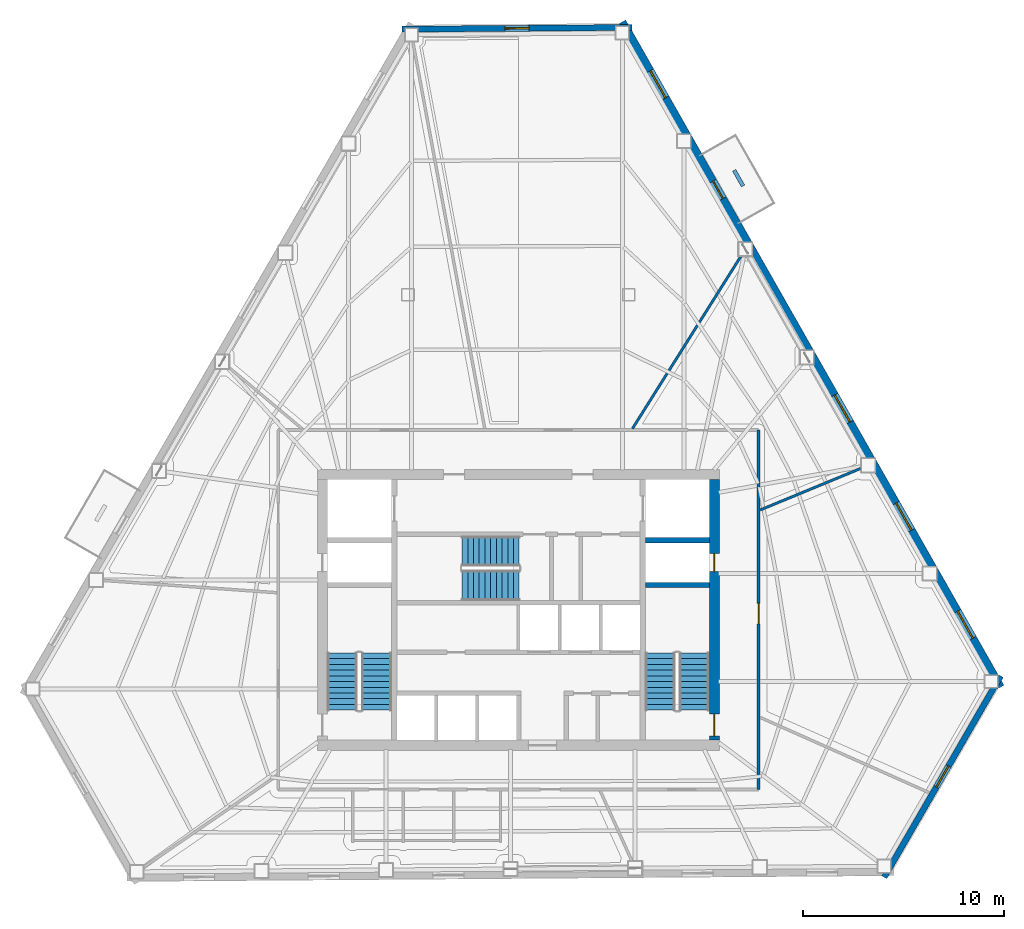
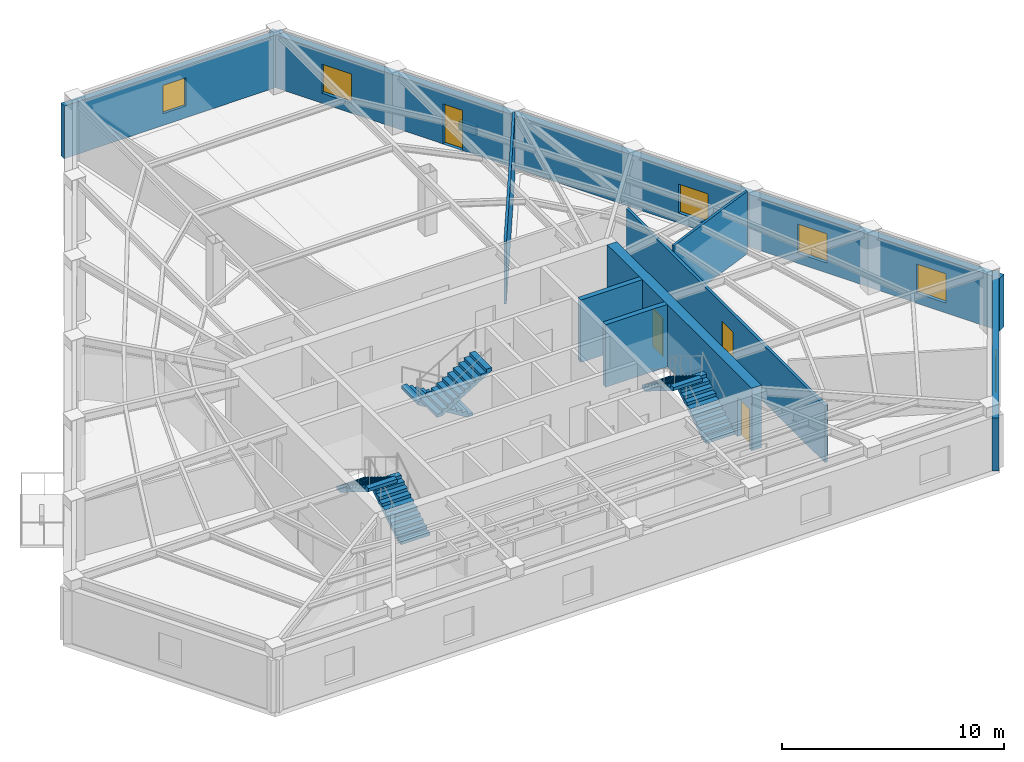
# One storey, part 7 of 10: 10 walls, 6 stair flights, 6 windows, 4 doors, 10 openings, 3 elements without a shape of their own.
"""IFC4 building model written with IfcOpenShell, lengths in metres."""

from ifc_helpers import new_model, si_unit, direction, frame, frame_2d, origin, place, context, subcontext, project, spatial, polyline, rectangle, outline, extrude, material, layer, layer_set, type_object, element, fill, aggregate, save


model = new_model("IFC4")

# Units and contexts
model_context = context("Model", 3, precision=1e-05, world=origin(), true_north=direction((0.0, 1.0)))
body_context = subcontext(model_context, "Body", "Model", "MODEL_VIEW")
ifc_project = project(units=[si_unit("LENGTHUNIT", "METRE"), si_unit("AREAUNIT", "SQUARE_METRE"), si_unit("VOLUMEUNIT", "CUBIC_METRE"), si_unit("PLANEANGLEUNIT", "RADIAN"), si_unit("MASSUNIT", "GRAM", prefix="KILO")], contexts=[model_context])

# Site, building, storey
site_placement = place(None, origin())
site = spatial("IfcSite", under=ifc_project, at=site_placement, CompositionType="ELEMENT")
building_placement = place(site_placement, origin())
building = spatial("IfcBuilding", under=site, at=building_placement, Name="Kavelnor Concourse Tower", CompositionType="ELEMENT")
storey_placement = place(building_placement, frame((0.0, 0.0, 150.949951171875)))
storey = spatial("IfcBuildingStorey", under=building, at=storey_placement, Name="L38", CompositionType="ELEMENT", Elevation=150.949951171875)

# Wall, openings, doors
ifc_material_1 = material(Name="Concrete C60/75", Category="concrete")
ifc_layer_1 = layer(ifc_material_1, 0.5, Name="Concrete C60/75")
ifc_layer_set_1 = layer_set([ifc_layer_1], Name="Concrete C60/75")
wall_type_1 = type_object("IfcWallType", Name="WL-CORE-Z2-500", PredefinedType="SOLIDWALL", material=ifc_layer_set_1)
wall_1_placement = place(storey_placement, frame((47.77001953125, 9.60009765625, 0.0), z_axis=(0.0, 0.0, 1.0), x_axis=(0.0, 1.0, 0.0)))
wall_1 = element("IfcWall", 1, at=wall_1_placement, inside=storey, type_object=wall_type_1, Name="L38 Central Core East Shear Wall", PredefinedType="SOLIDWALL", context=body_context, shape_type="SweptSolid", body=[
    extrude(rectangle(XDim=13.0, YDim=0.5, at=frame_2d((6.5, 0.0))), origin(), (0.0, 0.0, 1.0), 3.429931640625),
])
opening_1_placement = place(wall_1_placement, frame((0.199951171875, 0.0, 0.0)))
opening_1 = element("IfcOpeningElement", 2, at=opening_1_placement, cuts=wall_1, Name="Opening FD-110", PredefinedType="OPENING", context=body_context, shape_type="SweptSolid", body=[
    extrude(rectangle(XDim=1.10009765625, YDim=2.14990234375, at=frame_2d((0.550048828125, 1.074951171875))), frame((0.0, 0.260009765625, 0.0), z_axis=(0.0, -1.0, 0.0), x_axis=(1.0, 0.0, 0.0)), (0.0, 0.0, 1.0), 0.52001953125),
])
opening_2_placement = place(wall_1_placement, frame((8.39990234375, 0.0, 0.0)))
opening_2 = element("IfcOpeningElement", 3, at=opening_2_placement, cuts=wall_1, Name="Opening FD-090", PredefinedType="OPENING", context=body_context, shape_type="SweptSolid", body=[
    extrude(rectangle(XDim=0.89990234375, YDim=2.10009765625, at=frame_2d((0.449951171875, 1.050048828125))), frame((0.0, 0.260009765625, 0.0), z_axis=(0.0, -1.0, 0.0), x_axis=(1.0, 0.0, 0.0)), (0.0, 0.0, 1.0), 0.52001953125),
])
ifc_material_2 = material(Name="Steel Grade 350", Category="steel")
door_type_1 = type_object("IfcDoorType", Name="DR-RISER-FIRE-900", OperationType="NOTDEFINED", PredefinedType="DOOR", material=ifc_material_2)
door_1_placement = place(opening_2_placement, origin())
door_1 = element("IfcDoor", 4, at=door_1_placement, inside=storey, type_object=door_type_1, Name="L38 East Riser Access Door", OperationType="SINGLE_SWING_LEFT", OverallHeight=2.10009765625, OverallWidth=0.89990234375, PredefinedType="DOOR", context=body_context, shape_type="SweptSolid", body=[
    extrude(rectangle(XDim=0.89990234375, YDim=2.10009765625, at=frame_2d((0.449951171875, 1.050048828125))), frame((0.0, 0.02490234375, 0.0), z_axis=(0.0, -1.0, 0.0), x_axis=(1.0, 0.0, 0.0)), (0.0, 0.0, 1.0), 0.050048828125),
])
fill(opening_2, door_1)
door_type_2 = type_object("IfcDoorType", Name="DR-STAIR-FIRE-1100", OperationType="NOTDEFINED", PredefinedType="DOOR", material=ifc_material_2)
door_2_placement = place(opening_1_placement, origin())
door_2 = element("IfcDoor", 5, at=door_2_placement, inside=storey, type_object=door_type_2, Name="L38 Stair ST2 Fire Door", OperationType="SINGLE_SWING_RIGHT", OverallHeight=2.14990234375, OverallWidth=1.10009765625, PredefinedType="DOOR", context=body_context, shape_type="SweptSolid", body=[
    extrude(rectangle(XDim=1.10009765625, YDim=2.14990234375, at=frame_2d((0.550048828125, 1.074951171875))), frame((0.0, 0.02490234375, 0.0), z_axis=(0.0, -1.0, 0.0), x_axis=(1.0, 0.0, 0.0)), (0.0, 0.0, 1.0), 0.050048828125),
])
fill(opening_1, door_2)

# Wall, opening, window
ifc_material_3 = material(Name="Buff ironspot clay face brick masonry", Category="masonry")
ifc_layer_2 = layer(ifc_material_3, 0.300048828125, Name="Buff ironspot clay face brick masonry")
ifc_layer_set_2 = layer_set([ifc_layer_2], Name="Buff ironspot clay face brick masonry")
wall_type_2 = type_object("IfcWallType", Name="WL-EXT-BUFF-BRICK-FOLD-300", PredefinedType="STANDARD", material=ifc_layer_set_2)
wall_2_placement = place(storey_placement, frame((32.1962890625, 45.031494140625, 0.0), z_axis=(0.0, 0.0, 1.0), x_axis=(0.999971432125, 0.007558765403, 0.0)))
wall_2 = element("IfcWall", 6, at=wall_2_placement, inside=storey, type_object=wall_type_2, Name="L38 Exterior Brick Facade Wall E0", PredefinedType="STANDARD", context=body_context, shape_type="SweptSolid", body=[
    extrude(rectangle(XDim=11.466064453125, YDim=0.300048828125, at=frame_2d((5.73291015625, 0.0))), origin(), (0.0, 0.0, 1.0), 2.88916015625),
])
opening_3_placement = place(wall_2_placement, frame((5.133056640625, 0.0, 0.64990234375)))
opening_3 = element("IfcOpeningElement", 7, at=opening_3_placement, cuts=wall_2, Name="Opening W-05", PredefinedType="OPENING", context=body_context, shape_type="SweptSolid", body=[
    extrude(rectangle(XDim=1.199951171875, YDim=1.550048828125, at=frame_2d((0.60009765625, 0.77490234375))), frame((0.0, 0.16015625, 0.0), z_axis=(0.0, -1.0, 0.0), x_axis=(1.0, 0.0, 0.0)), (0.0, 0.0, 1.0), 0.320068359375),
])
ifc_material_4 = material(Name="Double low-E argon insulated glazing", Category="glass")
window_type_1 = type_object("IfcWindowType", Name="WIN-FOLD-1200", PartitioningType="SINGLE_PANEL", PredefinedType="WINDOW", material=ifc_material_4)
window_1_placement = place(opening_3_placement, origin())
window_1 = element("IfcWindow", 8, at=window_1_placement, inside=storey, type_object=window_type_1, Name="L38 Chamfer-Fold Facet Window C0", OverallHeight=1.550048828125, OverallWidth=1.199951171875, PartitioningType="SINGLE_PANEL", PredefinedType="WINDOW", context=body_context, shape_type="SweptSolid", body=[
    extrude(rectangle(XDim=1.199951171875, YDim=1.550048828125, at=frame_2d((0.60009765625, 0.77490234375))), frame((0.0, 0.030029296875, 0.0), z_axis=(0.0, -1.0, 0.0), x_axis=(1.0, 0.0, 0.0)), (0.0, 0.0, 1.0), 0.06005859375),
])
fill(opening_3, window_1)

wall_3_placement = place(storey_placement, frame((62.033447265625, 12.804443359375, 0.0), z_axis=(0.0, 0.0, 1.0), x_axis=(-0.500904242639, -0.865502709243, 0.0)))
wall_3 = element("IfcWall", 9, at=wall_3_placement, inside=storey, type_object=wall_type_2, Name="L38 Exterior Brick Facade Wall E4", PredefinedType="STANDARD", context=body_context, shape_type="SweptSolid", body=[
    extrude(rectangle(XDim=11.59033203125, YDim=0.300048828125, at=frame_2d((5.795166015625, 0.0))), origin(), (0.0, 0.0, 1.0), 2.88916015625),
])
opening_4_placement = place(wall_3_placement, frame((5.195068359375, 0.0, 0.64990234375)))
opening_4 = element("IfcOpeningElement", 10, at=opening_4_placement, cuts=wall_3, Name="Opening W-05", PredefinedType="OPENING", context=body_context, shape_type="SweptSolid", body=[
    extrude(rectangle(XDim=1.199951171875, YDim=1.550048828125, at=frame_2d((0.60009765625, 0.77490234375))), frame((0.0, 0.16015625, 0.0), z_axis=(0.0, -1.0, 0.0), x_axis=(1.0, 0.0, 0.0)), (0.0, 0.0, 1.0), 0.320068359375),
])
window_2_placement = place(opening_4_placement, origin())
window_2 = element("IfcWindow", 11, at=window_2_placement, inside=storey, type_object=window_type_1, Name="L38 Chamfer-Fold Facet Window C2", OverallHeight=1.550048828125, OverallWidth=1.199951171875, PartitioningType="SINGLE_PANEL", PredefinedType="WINDOW", context=body_context, shape_type="SweptSolid", body=[
    extrude(rectangle(XDim=1.199951171875, YDim=1.550048828125, at=frame_2d((0.60009765625, 0.77490234375))), frame((0.0, 0.030029296875, 0.0), z_axis=(0.0, -1.0, 0.0), x_axis=(1.0, 0.0, 0.0)), (0.0, 0.0, 1.0), 0.06005859375),
])
fill(opening_4, window_2)

# Wall, openings, door, windows
ifc_material_5 = material(Name="Red-ochre clay face brick masonry", Category="masonry")
ifc_layer_3 = layer(ifc_material_5, 0.3798828125, Name="Red-ochre clay face brick masonry")
ifc_layer_set_3 = layer_set([ifc_layer_3], Name="Red-ochre clay face brick masonry")
wall_type_3 = type_object("IfcWallType", Name="WL-EXT-RED-BRICK-PIER-380", PredefinedType="STANDARD", material=ifc_layer_set_3)
wall_4_placement = place(storey_placement, frame((43.17919921875, 45.396484375, 0.0), z_axis=(0.0, 0.0, 1.0), x_axis=(0.494363218784, -0.869255433065, 0.0)))
wall_4 = element("IfcWall", 12, at=wall_4_placement, inside=storey, type_object=wall_type_3, Name="L38 Exterior Brick Facade Wall E5", PredefinedType="STANDARD", context=body_context, shape_type="SweptSolid", body=[
    extrude(rectangle(XDim=38.134033203125, YDim=0.3798828125, at=frame_2d((19.06689453125, 0.0))), origin(), (0.0, 0.0, 1.0), 2.88916015625),
])
opening_5_placement = place(wall_4_placement, frame((9.133544921875, 0.0, 0.0)))
opening_5 = element("IfcOpeningElement", 13, at=opening_5_placement, cuts=wall_4, Name="Opening BD-100", PredefinedType="OPENING", context=body_context, shape_type="SweptSolid", body=[
    extrude(rectangle(XDim=1.0, YDim=2.199951171875, at=frame_2d((0.5, 1.10009765625))), frame((0.0, 0.199951171875, 0.0), z_axis=(0.0, -1.0, 0.0), x_axis=(1.0, 0.0, 0.0)), (0.0, 0.0, 1.0), 0.39990234375),
])
opening_6_placement = place(wall_4_placement, frame((33.785400390625, 0.0, 0.550048828125)))
opening_6 = element("IfcOpeningElement", 14, at=opening_6_placement, cuts=wall_4, Name="Opening W-02", PredefinedType="OPENING", context=body_context, shape_type="SweptSolid", body=[
    extrude(rectangle(XDim=1.550048828125, YDim=1.60009765625, at=frame_2d((0.77490234375, 0.800048828125))), frame((0.0, 0.199951171875, 0.0), z_axis=(0.0, -1.0, 0.0), x_axis=(1.0, 0.0, 0.0)), (0.0, 0.0, 1.0), 0.39990234375),
])
opening_7_placement = place(wall_4_placement, frame((27.58935546875, 0.0, 0.550048828125)))
opening_7 = element("IfcOpeningElement", 15, at=opening_7_placement, cuts=wall_4, Name="Opening W-02", PredefinedType="OPENING", context=body_context, shape_type="SweptSolid", body=[
    extrude(rectangle(XDim=1.550048828125, YDim=1.60009765625, at=frame_2d((0.77490234375, 0.800048828125))), frame((0.0, 0.199951171875, 0.0), z_axis=(0.0, -1.0, 0.0), x_axis=(1.0, 0.0, 0.0)), (0.0, 0.0, 1.0), 0.39990234375),
])
opening_8_placement = place(wall_4_placement, frame((21.393310546875, 0.0, 0.550048828125)))
opening_8 = element("IfcOpeningElement", 16, at=opening_8_placement, cuts=wall_4, Name="Opening W-02", PredefinedType="OPENING", context=body_context, shape_type="SweptSolid", body=[
    extrude(rectangle(XDim=1.550048828125, YDim=1.60009765625, at=frame_2d((0.77490234375, 0.800048828125))), frame((0.0, 0.199951171875, 0.0), z_axis=(0.0, -1.0, 0.0), x_axis=(1.0, 0.0, 0.0)), (0.0, 0.0, 1.0), 0.39990234375),
])
opening_9_placement = place(wall_4_placement, frame((2.8046875, 0.0, 0.550048828125)))
opening_9 = element("IfcOpeningElement", 17, at=opening_9_placement, cuts=wall_4, Name="Opening W-02", PredefinedType="OPENING", context=body_context, shape_type="SweptSolid", body=[
    extrude(rectangle(XDim=1.550048828125, YDim=1.60009765625, at=frame_2d((0.77490234375, 0.800048828125))), frame((0.0, 0.199951171875, 0.0), z_axis=(0.0, -1.0, 0.0), x_axis=(1.0, 0.0, 0.0)), (0.0, 0.0, 1.0), 0.39990234375),
])
ifc_material_6 = material(Name="Anodised aluminium 6063-T6", Category="aluminium")
door_type_3 = type_object("IfcDoorType", Name="DR-BALCONY-EXT-1000", OperationType="NOTDEFINED", PredefinedType="DOOR", material=ifc_material_6)
door_3_placement = place(opening_5_placement, origin())
door_3 = element("IfcDoor", 18, at=door_3_placement, inside=storey, type_object=door_type_3, Name="L38 Tree Balcony 1 Glazed Door", OperationType="SINGLE_SWING_LEFT", OverallHeight=2.199951171875, OverallWidth=1.0, PredefinedType="DOOR", context=body_context, shape_type="SweptSolid", body=[
    extrude(rectangle(XDim=1.0, YDim=2.199951171875, at=frame_2d((0.5, 1.10009765625))), frame((0.0, 0.02490234375, 0.0), z_axis=(0.0, -1.0, 0.0), x_axis=(1.0, 0.0, 0.0)), (0.0, 0.0, 1.0), 0.050048828125),
])
fill(opening_5, door_3)
window_type_2 = type_object("IfcWindowType", Name="WIN-PIER-Z2-1650", PartitioningType="SINGLE_PANEL", PredefinedType="WINDOW", material=ifc_material_4)
window_3_placement = place(opening_6_placement, origin())
window_3 = element("IfcWindow", 19, at=window_3_placement, inside=storey, type_object=window_type_2, Name="L38 Deep-Set Brick Pier Window F2-B0", OverallHeight=1.60009765625, OverallWidth=1.550048828125, PartitioningType="SINGLE_PANEL", PredefinedType="WINDOW", context=body_context, shape_type="SweptSolid", body=[
    extrude(rectangle(XDim=1.550048828125, YDim=1.60009765625, at=frame_2d((0.77490234375, 0.800048828125))), frame((0.0, 0.030029296875, 0.0), z_axis=(0.0, -1.0, 0.0), x_axis=(1.0, 0.0, 0.0)), (0.0, 0.0, 1.0), 0.06005859375),
])
fill(opening_6, window_3)
window_4_placement = place(opening_7_placement, origin())
window_4 = element("IfcWindow", 20, at=window_4_placement, inside=storey, type_object=window_type_2, Name="L38 Deep-Set Brick Pier Window F2-B1", OverallHeight=1.60009765625, OverallWidth=1.550048828125, PartitioningType="SINGLE_PANEL", PredefinedType="WINDOW", context=body_context, shape_type="SweptSolid", body=[
    extrude(rectangle(XDim=1.550048828125, YDim=1.60009765625, at=frame_2d((0.77490234375, 0.800048828125))), frame((0.0, 0.030029296875, 0.0), z_axis=(0.0, -1.0, 0.0), x_axis=(1.0, 0.0, 0.0)), (0.0, 0.0, 1.0), 0.06005859375),
])
fill(opening_7, window_4)
window_5_placement = place(opening_8_placement, origin())
window_5 = element("IfcWindow", 21, at=window_5_placement, inside=storey, type_object=window_type_2, Name="L38 Deep-Set Brick Pier Window F2-B2", OverallHeight=1.60009765625, OverallWidth=1.550048828125, PartitioningType="SINGLE_PANEL", PredefinedType="WINDOW", context=body_context, shape_type="SweptSolid", body=[
    extrude(rectangle(XDim=1.550048828125, YDim=1.60009765625, at=frame_2d((0.77490234375, 0.800048828125))), frame((0.0, 0.030029296875, 0.0), z_axis=(0.0, -1.0, 0.0), x_axis=(1.0, 0.0, 0.0)), (0.0, 0.0, 1.0), 0.06005859375),
])
fill(opening_8, window_5)
window_6_placement = place(opening_9_placement, origin())
window_6 = element("IfcWindow", 22, at=window_6_placement, inside=storey, type_object=window_type_2, Name="L38 Deep-Set Brick Pier Window F2-B5", OverallHeight=1.60009765625, OverallWidth=1.550048828125, PartitioningType="SINGLE_PANEL", PredefinedType="WINDOW", context=body_context, shape_type="SweptSolid", body=[
    extrude(rectangle(XDim=1.550048828125, YDim=1.60009765625, at=frame_2d((0.77490234375, 0.800048828125))), frame((0.0, 0.030029296875, 0.0), z_axis=(0.0, -1.0, 0.0), x_axis=(1.0, 0.0, 0.0)), (0.0, 0.0, 1.0), 0.06005859375),
])
fill(opening_9, window_6)

# Wall, opening, door
ifc_material_7 = material(Name="Gypsum plasterboard on light-gauge steel studs", Category="steel")
ifc_layer_4 = layer(ifc_material_7, 0.14501953125, Name="Gypsum plasterboard on light-gauge steel studs")
ifc_layer_set_4 = layer_set([ifc_layer_4], Name="Gypsum plasterboard on light-gauge steel studs")
wall_type_4 = type_object("IfcWallType", Name="WL-INT-CORR-145", PredefinedType="PARTITIONING", material=ifc_layer_set_4)
wall_5_placement = place(storey_placement, frame((49.969970703125, 7.14990234375, 0.0), z_axis=(0.0, 0.0, 1.0), x_axis=(0.0, 1.0, 0.0)))
wall_5 = element("IfcWall", 23, at=wall_5_placement, inside=storey, type_object=wall_type_4, Name="L38 Corridor Wall WL-L38-CR-01", PredefinedType="PARTITIONING", context=body_context, shape_type="SweptSolid", body=[
    extrude(rectangle(XDim=17.900146484375, YDim=0.14501953125, at=frame_2d((8.9501953125, 0.0))), origin(), (0.0, 0.0, 1.0), 3.1181640625),
])
opening_10_placement = place(wall_5_placement, frame((8.245849609375, 0.0, 0.0)))
opening_10 = element("IfcOpeningElement", 24, at=opening_10_placement, cuts=wall_5, Name="Opening MD-102", PredefinedType="OPENING", context=body_context, shape_type="SweptSolid", body=[
    extrude(rectangle(XDim=1.02001953125, YDim=2.14990234375, at=frame_2d((0.510009765625, 1.074951171875))), frame((0.0, 0.08251953125, 0.0), z_axis=(0.0, -1.0, 0.0), x_axis=(1.0, 0.0, 0.0)), (0.0, 0.0, 1.0), 0.1650390625),
])
ifc_material_8 = material(Name="Acoustic glazed timber frame", Category="wood")
door_type_4 = type_object("IfcDoorType", Name="DR-MEETING-1020", OperationType="NOTDEFINED", PredefinedType="DOOR", material=ifc_material_8)
door_4_placement = place(opening_10_placement, origin())
door_4 = element("IfcDoor", 25, at=door_4_placement, inside=storey, type_object=door_type_4, Name="L38 Client Boardroom 08 Door", OperationType="SINGLE_SWING_LEFT", OverallHeight=2.14990234375, OverallWidth=1.02001953125, PredefinedType="DOOR", context=body_context, shape_type="SweptSolid", body=[
    extrude(rectangle(XDim=1.02001953125, YDim=2.14990234375, at=frame_2d((0.510009765625, 1.074951171875))), frame((0.0, 0.02490234375, 0.0), z_axis=(0.0, -1.0, 0.0), x_axis=(1.0, 0.0, 0.0)), (0.0, 0.0, 1.0), 0.050048828125),
])
fill(opening_10, door_4)

# Walls
ifc_layer_5 = layer(ifc_material_7, 0.125, Name="Gypsum plasterboard on light-gauge steel studs")
ifc_layer_set_5 = layer_set([ifc_layer_5], Name="Gypsum plasterboard on light-gauge steel studs")
wall_type_5 = type_object("IfcWallType", Name="WL-INT-SUITE-125", PredefinedType="PARTITIONING", material=ifc_layer_set_5)
wall_6_placement = place(storey_placement, frame((50.050537109375, 21.076416015625, 0.0), z_axis=(0.0, 0.0, 1.0), x_axis=(0.924287300844, 0.38169750523, 0.0)))
element("IfcWall", 26, at=wall_6_placement, inside=storey, type_object=wall_type_5, Name="L38 Radial Suite Partition 01", PredefinedType="PARTITIONING", context=body_context, shape_type="SweptSolid", body=[
    extrude(rectangle(XDim=5.427734375, YDim=0.125, at=frame_2d((2.7138671875, 0.0))), origin(), (0.0, 0.0, 1.0), 3.429931640625),
])
wall_7_placement = place(storey_placement, frame((43.682373046875, 25.130615234375, 0.0), z_axis=(0.0, 0.0, 1.0), x_axis=(0.53258313075, 0.846377698691, 0.0)))
element("IfcWall", 27, at=wall_7_placement, inside=storey, type_object=wall_type_5, Name="L38 Radial Suite Partition 02", PredefinedType="PARTITIONING", context=body_context, shape_type="SweptSolid", body=[
    extrude(rectangle(XDim=10.1298828125, YDim=0.125, at=frame_2d((5.06494140625, 0.0))), origin(), (0.0, 0.0, 1.0), 3.429931640625),
])
ifc_material_9 = material(Name="Architectural precast planter concrete C40/50", Category="concrete")
ifc_layer_6 = layer(ifc_material_9, 0.18994140625, Name="Architectural precast planter concrete C40/50")
ifc_layer_set_6 = layer_set([ifc_layer_6], Name="Architectural precast planter concrete C40/50")
wall_type_6 = type_object("IfcWallType", Name="WL-PLANTER-KERB-190", PredefinedType="USERDEFINED", material=ifc_layer_set_6)
wall_8_placement = place(storey_placement, frame((49.194091796875, 37.21728515625, 0.0), z_axis=(0.0, 0.0, 1.0), x_axis=(-0.494209783785, 0.869342676746, 0.0)))
element("IfcWall", 28, at=wall_8_placement, inside=storey, type_object=wall_type_6, Name="L38 Tree Balcony 1 Tree Planter Kerb", ObjectType="PLANTER", PredefinedType="USERDEFINED", context=body_context, shape_type="SweptSolid", body=[
    extrude(rectangle(XDim=0.900146484375, YDim=0.18994140625, at=frame_2d((0.4501953125, 0.0))), origin(), (0.0, 0.0, 1.0), 0.5),
])
ifc_material_10 = material(Name="Concrete C50/60", Category="concrete")
ifc_layer_7 = layer(ifc_material_10, 0.260009765625, Name="Concrete C50/60")
ifc_layer_set_7 = layer_set([ifc_layer_7], Name="Concrete C50/60")
wall_type_7 = type_object("IfcWallType", Name="WL-SHAFT-260", PredefinedType="SHEAR", material=ifc_layer_set_7)
for number, where, z_axis, x_axis, name in (
    (29, (44.320068359375, 17.330078125, 0.0), (0.0, 0.0, 1.0), (1.0, 0.0, 0.0), "L38 Stair ST2 North Shaft Wall"),
    (30, (44.320068359375, 19.570068359375, 0.0), (0.0, 0.0, 1.0), (1.0, 0.0, 0.0), "L38 Emergency Lift FL2 South Shaft Wall"),
):
    element("IfcWall", number, at=place(storey_placement, frame(where, z_axis=z_axis, x_axis=x_axis)), inside=storey, type_object=wall_type_7, Name=name, PredefinedType="SHEAR", context=body_context, shape_type="SweptSolid", body=[
        extrude(rectangle(XDim=3.199951171875, YDim=0.260009765625, at=frame_2d((1.60009765625, 0.0))), origin(), (0.0, 0.0, 1.0), 3.429931640625),
    ])

# Stair, stair flights
ifc_material_11 = material(Name="Concrete C40/50", Category="concrete")
stair_type = type_object("IfcStairType", Name="STR-CORE-1500", PredefinedType="HALF_TURN_STAIR", material=ifc_material_11)
stair_1_placement = place(storey_placement, origin())
stair_1 = element("IfcStair", 31, at=stair_1_placement, inside=storey, type_object=stair_type, Name="L38 ST1", PredefinedType="HALF_TURN_STAIR")
stair_flight_type = type_object("IfcStairFlightType", Name="STR-FLIGHT-1500", PredefinedType="STRAIGHT", material=ifc_material_11)
stair_flight_1_placement = place(storey_placement, frame((30.929931640625, 11.10009765625, 0.0), z_axis=(0.0, 0.0, 1.0), x_axis=(0.0, 1.0, 0.0)))
stair_flight_1 = element("IfcStairFlight", 32, at=stair_flight_1_placement, type_object=stair_flight_type, Name="ST1 flight 1", NumberOfRisers=11, NumberOfTreads=10, PredefinedType="STRAIGHT", RiserHeight=0.175, TreadLength=0.285, context=body_context, shape_type="SweptSolid", body=[
    extrude(outline(polyline([(0.0, 0.0), (0.0, 0.175048828125), (0.284912109375, 0.175048828125), (0.284912109375, 0.35009765625), (0.570068359375, 0.35009765625), (0.570068359375, 0.52490234375), (0.85498046875, 0.52490234375), (0.85498046875, 0.699951171875), (1.139892578125, 0.699951171875), (1.139892578125, 0.875), (1.425048828125, 0.875), (1.425048828125, 1.050048828125), (1.7099609375, 1.050048828125), (1.7099609375, 1.22509765625), (1.9951171875, 1.22509765625), (1.9951171875, 1.39990234375), (2.280029296875, 1.39990234375), (2.280029296875, 1.574951171875), (2.56494140625, 1.574951171875), (2.56494140625, 1.75), (2.85009765625, 1.75), (2.85009765625, 1.925048828125), (2.85009765625, 1.573974609375), (0.286376953125, 0.0), (0.0, 0.0)])), frame((0.0, 0.75, 0.0), z_axis=(0.0, -1.0, 0.0), x_axis=(1.0, 0.0, 0.0)), (0.0, 0.0, 1.0), 1.5),
])
stair_flight_2_placement = place(storey_placement, frame((29.22998046875, 13.949951171875, 1.925048828125), z_axis=(0.0, 0.0, 1.0), x_axis=(0.0, -1.0, 0.0)))
stair_flight_2 = element("IfcStairFlight", 33, at=stair_flight_2_placement, type_object=stair_flight_type, Name="ST1 flight 2", NumberOfRisers=11, NumberOfTreads=10, PredefinedType="STRAIGHT", RiserHeight=0.175, TreadLength=0.285, context=body_context, shape_type="SweptSolid", body=[
    extrude(outline(polyline([(0.0, 0.0), (0.0, 0.175048828125), (0.284912109375, 0.175048828125), (0.284912109375, 0.35009765625), (0.570068359375, 0.35009765625), (0.570068359375, 0.52490234375), (0.85498046875, 0.52490234375), (0.85498046875, 0.699951171875), (1.139892578125, 0.699951171875), (1.139892578125, 0.875), (1.425048828125, 0.875), (1.425048828125, 1.050048828125), (1.7099609375, 1.050048828125), (1.7099609375, 1.22509765625), (1.9951171875, 1.22509765625), (1.9951171875, 1.39990234375), (2.280029296875, 1.39990234375), (2.280029296875, 1.574951171875), (2.56494140625, 1.574951171875), (2.56494140625, 1.75), (2.85009765625, 1.75), (2.85009765625, 1.925048828125), (2.85009765625, 1.573974609375), (0.286376953125, 0.0), (0.0, 0.0)])), frame((0.0, 0.75, 0.0), z_axis=(0.0, -1.0, 0.0), x_axis=(1.0, 0.0, 0.0)), (0.0, 0.0, 1.0), 1.5),
])
aggregate(stair_1, [stair_flight_1, stair_flight_2])

stair_2_placement = place(storey_placement, origin())
stair_2 = element("IfcStair", 34, at=stair_2_placement, inside=storey, type_object=stair_type, Name="L38 ST2", PredefinedType="HALF_TURN_STAIR")
stair_flight_3_placement = place(storey_placement, frame((46.77001953125, 11.10009765625, 0.0), z_axis=(0.0, 0.0, 1.0), x_axis=(0.0, 1.0, 0.0)))
stair_flight_3 = element("IfcStairFlight", 35, at=stair_flight_3_placement, type_object=stair_flight_type, Name="ST2 flight 1", NumberOfRisers=11, NumberOfTreads=10, PredefinedType="STRAIGHT", RiserHeight=0.175, TreadLength=0.285, context=body_context, shape_type="SweptSolid", body=[
    extrude(outline(polyline([(0.0, 0.0), (0.0, 0.175048828125), (0.284912109375, 0.175048828125), (0.284912109375, 0.35009765625), (0.570068359375, 0.35009765625), (0.570068359375, 0.52490234375), (0.85498046875, 0.52490234375), (0.85498046875, 0.699951171875), (1.139892578125, 0.699951171875), (1.139892578125, 0.875), (1.425048828125, 0.875), (1.425048828125, 1.050048828125), (1.7099609375, 1.050048828125), (1.7099609375, 1.22509765625), (1.9951171875, 1.22509765625), (1.9951171875, 1.39990234375), (2.280029296875, 1.39990234375), (2.280029296875, 1.574951171875), (2.56494140625, 1.574951171875), (2.56494140625, 1.75), (2.85009765625, 1.75), (2.85009765625, 1.925048828125), (2.85009765625, 1.573974609375), (0.286376953125, 0.0), (0.0, 0.0)])), frame((0.0, 0.75, 0.0), z_axis=(0.0, -1.0, 0.0), x_axis=(1.0, 0.0, 0.0)), (0.0, 0.0, 1.0), 1.5),
])
stair_flight_4_placement = place(storey_placement, frame((45.070068359375, 13.949951171875, 1.925048828125), z_axis=(0.0, 0.0, 1.0), x_axis=(0.0, -1.0, 0.0)))
stair_flight_4 = element("IfcStairFlight", 36, at=stair_flight_4_placement, type_object=stair_flight_type, Name="ST2 flight 2", NumberOfRisers=11, NumberOfTreads=10, PredefinedType="STRAIGHT", RiserHeight=0.175, TreadLength=0.285, context=body_context, shape_type="SweptSolid", body=[
    extrude(outline(polyline([(0.0, 0.0), (0.0, 0.175048828125), (0.284912109375, 0.175048828125), (0.284912109375, 0.35009765625), (0.570068359375, 0.35009765625), (0.570068359375, 0.52490234375), (0.85498046875, 0.52490234375), (0.85498046875, 0.699951171875), (1.139892578125, 0.699951171875), (1.139892578125, 0.875), (1.425048828125, 0.875), (1.425048828125, 1.050048828125), (1.7099609375, 1.050048828125), (1.7099609375, 1.22509765625), (1.9951171875, 1.22509765625), (1.9951171875, 1.39990234375), (2.280029296875, 1.39990234375), (2.280029296875, 1.574951171875), (2.56494140625, 1.574951171875), (2.56494140625, 1.75), (2.85009765625, 1.75), (2.85009765625, 1.925048828125), (2.85009765625, 1.573974609375), (0.286376953125, 0.0), (0.0, 0.0)])), frame((0.0, 0.75, 0.0), z_axis=(0.0, -1.0, 0.0), x_axis=(1.0, 0.0, 0.0)), (0.0, 0.0, 1.0), 1.5),
])
aggregate(stair_2, [stair_flight_3, stair_flight_4])

stair_3_placement = place(storey_placement, origin())
stair_3 = element("IfcStair", 37, at=stair_3_placement, inside=storey, type_object=stair_type, Name="L38 ST3", PredefinedType="HALF_TURN_STAIR")
stair_flight_5_placement = place(storey_placement, frame((38.0400390625, 19.010009765625, 0.0), z_axis=(0.0, 0.0, 1.0), x_axis=(-1.0, 0.0, 0.0)))
stair_flight_5 = element("IfcStairFlight", 38, at=stair_flight_5_placement, type_object=stair_flight_type, Name="ST3 flight 1", NumberOfRisers=11, NumberOfTreads=10, PredefinedType="STRAIGHT", RiserHeight=0.175, TreadLength=0.285, context=body_context, shape_type="SweptSolid", body=[
    extrude(outline(polyline([(0.0, 0.0), (0.0, 0.175048828125), (0.284912109375, 0.175048828125), (0.284912109375, 0.35009765625), (0.570068359375, 0.35009765625), (0.570068359375, 0.52490234375), (0.85498046875, 0.52490234375), (0.85498046875, 0.699951171875), (1.139892578125, 0.699951171875), (1.139892578125, 0.875), (1.425048828125, 0.875), (1.425048828125, 1.050048828125), (1.7099609375, 1.050048828125), (1.7099609375, 1.22509765625), (1.9951171875, 1.22509765625), (1.9951171875, 1.39990234375), (2.280029296875, 1.39990234375), (2.280029296875, 1.574951171875), (2.56494140625, 1.574951171875), (2.56494140625, 1.75), (2.85009765625, 1.75), (2.85009765625, 1.925048828125), (2.85009765625, 1.573974609375), (0.286376953125, 0.0), (0.0, 0.0)])), frame((0.0, 0.75, 0.0), z_axis=(0.0, -1.0, 0.0), x_axis=(1.0, 0.0, 0.0)), (0.0, 0.0, 1.0), 1.5),
])
stair_flight_6_placement = place(storey_placement, frame((35.18994140625, 17.31005859375, 1.925048828125), z_axis=(0.0, 0.0, 1.0), x_axis=(1.0, 0.0, 0.0)))
stair_flight_6 = element("IfcStairFlight", 39, at=stair_flight_6_placement, type_object=stair_flight_type, Name="ST3 flight 2", NumberOfRisers=11, NumberOfTreads=10, PredefinedType="STRAIGHT", RiserHeight=0.175, TreadLength=0.285, context=body_context, shape_type="SweptSolid", body=[
    extrude(outline(polyline([(0.0, 0.0), (0.0, 0.175048828125), (0.284912109375, 0.175048828125), (0.284912109375, 0.35009765625), (0.570068359375, 0.35009765625), (0.570068359375, 0.52490234375), (0.85498046875, 0.52490234375), (0.85498046875, 0.699951171875), (1.139892578125, 0.699951171875), (1.139892578125, 0.875), (1.425048828125, 0.875), (1.425048828125, 1.050048828125), (1.7099609375, 1.050048828125), (1.7099609375, 1.22509765625), (1.9951171875, 1.22509765625), (1.9951171875, 1.39990234375), (2.280029296875, 1.39990234375), (2.280029296875, 1.574951171875), (2.56494140625, 1.574951171875), (2.56494140625, 1.75), (2.85009765625, 1.75), (2.85009765625, 1.925048828125), (2.85009765625, 1.573974609375), (0.286376953125, 0.0), (0.0, 0.0)])), frame((0.0, 0.75, 0.0), z_axis=(0.0, -1.0, 0.0), x_axis=(1.0, 0.0, 0.0)), (0.0, 0.0, 1.0), 1.5),
])
aggregate(stair_3, [stair_flight_5, stair_flight_6])

save(model, "model.ifc")
